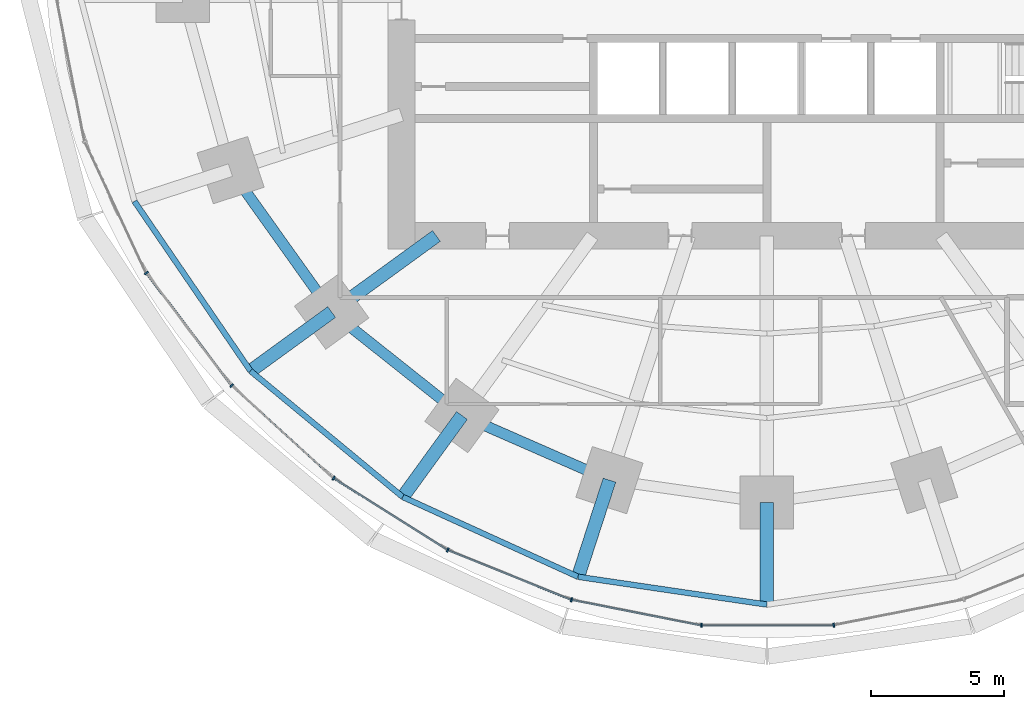
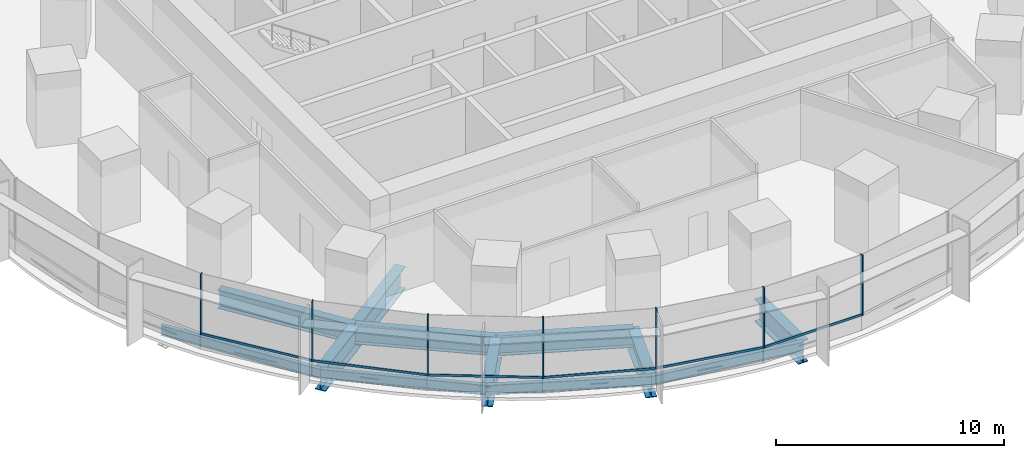
# One storey, part 2 of 15: 13 members, 12 beams, 2 elements without a shape of their own.
"""IFC4 building model written with IfcOpenShell, lengths in metres."""

from ifc_helpers import new_model, si_unit, direction, frame, origin, origin_2d, place, context, subcontext, project, spatial, rectangle, i_section, extrude, material, material_profile, profile_set, type_object, element, aggregate, save


model = new_model("IFC4")

# Units and contexts
model_context = context("Model", 3, precision=1e-05, world=origin(), true_north=direction((0.0, 1.0)))
body_context = subcontext(model_context, "Body", "Model", "MODEL_VIEW")
ifc_project = project(units=[si_unit("LENGTHUNIT", "METRE"), si_unit("AREAUNIT", "SQUARE_METRE"), si_unit("VOLUMEUNIT", "CUBIC_METRE"), si_unit("PLANEANGLEUNIT", "RADIAN"), si_unit("MASSUNIT", "GRAM", prefix="KILO")], contexts=[model_context])

# Site, building, storey
site_placement = place(None, origin())
site = spatial("IfcSite", under=ifc_project, at=site_placement, CompositionType="ELEMENT")
building_placement = place(site_placement, origin())
building = spatial("IfcBuilding", under=site, at=building_placement, Name="Marramba Exchange Tower", CompositionType="ELEMENT")
storey_placement = place(building_placement, frame((0.0, 0.0, 78.39990234375)))
storey = spatial("IfcBuildingStorey", under=building, at=storey_placement, Name="L18", CompositionType="ELEMENT", Elevation=78.39990234375)

# Beams
ifc_material_1 = material(Name="Steel AS/NZS 3679.2 grade 300", Category="steel")
ifc_material_profile_1 = material_profile(ifc_material_1, i_section(OverallWidth=0.5, OverallDepth=1.199951171875, WebThickness=0.01611328125, FlangeThickness=0.0400390625, at=origin_2d()), Name="1200WB455")
ifc_profile_set_1 = profile_set([ifc_material_profile_1], Name="Steel AS/NZS 3679.2 grade 300")
beam_type_1 = type_object("IfcBeamType", Name="Cantilever girder 1200WB455", PredefinedType="BEAM", material=ifc_profile_set_1)
beam_1_placement = place(storey_placement, frame((-16.3154296875, -11.853759765625, -0.760009765625), z_axis=(-0.809008346081, -0.587797155463, 0.0), x_axis=(0.587797155463, -0.809008346081, 0.0)))
element("IfcBeam", 1, at=beam_1_placement, inside=storey, type_object=beam_type_1, Name="Cantilever girder L18 TC13", PredefinedType="BEAM", context=body_context, shape_type="SweptSolid", body=[
    extrude(i_section(OverallWidth=0.5, OverallDepth=1.199951171875, WebThickness=0.01611328125, FlangeThickness=0.0400390625, at=origin_2d()), origin(), (0.0, 0.0, 1.0), 3.76025390625),
])
beam_2_placement = place(storey_placement, frame((-11.430419921875, -15.732666015625, -0.760009765625), z_axis=(-0.587787232741, -0.809015555491, 0.0), x_axis=(0.809015555491, -0.587787232741, 0.0)))
element("IfcBeam", 2, at=beam_2_placement, inside=storey, type_object=beam_type_1, Name="Cantilever girder L18 TC14", PredefinedType="BEAM", context=body_context, shape_type="SweptSolid", body=[
    extrude(i_section(OverallWidth=0.5, OverallDepth=1.199951171875, WebThickness=0.01611328125, FlangeThickness=0.0400390625, at=origin_2d()), origin(), (0.0, 0.0, 1.0), 3.7763671875),
])
beam_3_placement = place(storey_placement, frame((-5.899658203125, -18.156982421875, -0.760009765625), z_axis=(-0.309009272901, -0.951059025119, 0.0), x_axis=(0.951059025119, -0.309009272901, 0.0)))
element("IfcBeam", 3, at=beam_3_placement, inside=storey, type_object=beam_type_1, Name="Cantilever girder L18 TC15", PredefinedType="BEAM", context=body_context, shape_type="SweptSolid", body=[
    extrude(i_section(OverallWidth=0.5, OverallDepth=1.199951171875, WebThickness=0.01611328125, FlangeThickness=0.0400390625, at=origin_2d()), origin(), (0.0, 0.0, 1.0), 3.809814453125),
])
beam_4_placement = place(storey_placement, frame((0.0, -18.99609375, -0.760009765625), z_axis=(0.0, -1.0, 0.0), x_axis=(1.0, 0.0, 0.0)))
element("IfcBeam", 4, at=beam_4_placement, inside=storey, type_object=beam_type_1, Name="Cantilever girder L18 TC16", PredefinedType="BEAM", context=body_context, shape_type="SweptSolid", body=[
    extrude(i_section(OverallWidth=0.5, OverallDepth=1.199951171875, WebThickness=0.01611328125, FlangeThickness=0.0400390625, at=origin_2d()), origin(), (0.0, 0.0, 1.0), 3.825927734375),
])
ifc_material_profile_2 = material_profile(ifc_material_1, i_section(OverallWidth=0.5, OverallDepth=1.199951171875, WebThickness=0.01611328125, FlangeThickness=0.0400390625, at=origin_2d()), Name="1200WB455")
ifc_profile_set_2 = profile_set([ifc_material_profile_2], Name="Steel AS/NZS 3679.2 grade 300")
beam_type_2 = type_object("IfcBeamType", Name="Radial girder 1200WB455", PredefinedType="BEAM", material=ifc_profile_set_2)
beam_5_placement = place(storey_placement, frame((-12.387451171875, -9.0, -0.760009765625), z_axis=(-0.809025189606, -0.58777397236, 0.0), x_axis=(0.58777397236, -0.809025189606, 0.0)))
element("IfcBeam", 5, at=beam_5_placement, inside=storey, type_object=beam_type_2, Name="Radial girder L18 TC13", PredefinedType="BEAM", context=body_context, shape_type="SweptSolid", body=[
    extrude(i_section(OverallWidth=0.5, OverallDepth=1.199951171875, WebThickness=0.01611328125, FlangeThickness=0.0400390625, at=origin_2d()), origin(), (0.0, 0.0, 1.0), 4.855224609375),
])
ifc_material_profile_3 = material_profile(ifc_material_1, i_section(OverallWidth=0.39990234375, OverallDepth=1.0, WebThickness=0.01611328125, FlangeThickness=0.031982421875, at=origin_2d()), Name="1000WB322")
ifc_profile_set_3 = profile_set([ifc_material_profile_3], Name="Steel AS/NZS 3679.2 grade 300")
beam_type_3 = type_object("IfcBeamType", Name="Ring beam 1000WB322", PredefinedType="SPANDREL", material=ifc_profile_set_3)
beam_6_placement = place(storey_placement, frame((-20.109375, -6.533935546875, -0.659912109375), z_axis=(0.580637181111, -0.814162430914, 0.0), x_axis=(0.814162430914, 0.580637181111, 0.0)))
element("IfcBeam", 6, at=beam_6_placement, inside=storey, type_object=beam_type_3, Name="Ring beam L18 TC12-TC13", PredefinedType="SPANDREL", context=body_context, shape_type="SweptSolid", body=[
    extrude(i_section(OverallWidth=0.39990234375, OverallDepth=1.0, WebThickness=0.01611328125, FlangeThickness=0.031982421875, at=origin_2d()), origin(), (0.0, 0.0, 1.0), 6.5341796875),
])
beam_7_placement = place(storey_placement, frame((-16.3154296875, -11.853759765625, -0.659912109375), z_axis=(0.783139438128, -0.621846138887, 0.0), x_axis=(0.621846138887, 0.783139438128, 0.0)))
element("IfcBeam", 7, at=beam_7_placement, inside=storey, type_object=beam_type_3, Name="Ring beam L18 TC13-TC14", PredefinedType="SPANDREL", context=body_context, shape_type="SweptSolid", body=[
    extrude(i_section(OverallWidth=0.39990234375, OverallDepth=1.0, WebThickness=0.01611328125, FlangeThickness=0.031982421875, at=origin_2d()), origin(), (0.0, 0.0, 1.0), 6.23779296875),
])
beam_8_placement = place(storey_placement, frame((-11.430419921875, -15.732666015625, -0.659912109375), z_axis=(0.915876892158, -0.4014592363, 0.0), x_axis=(0.4014592363, 0.915876892158, 0.0)))
element("IfcBeam", 8, at=beam_8_placement, inside=storey, type_object=beam_type_3, Name="Ring beam L18 TC14-TC15", PredefinedType="SPANDREL", context=body_context, shape_type="SweptSolid", body=[
    extrude(i_section(OverallWidth=0.39990234375, OverallDepth=1.0, WebThickness=0.01611328125, FlangeThickness=0.031982421875, at=origin_2d()), origin(), (0.0, 0.0, 1.0), 6.038818359375),
])
ifc_material_2 = material(Name="Steel AS/NZS 3679.1 grade 300", Category="steel")
ifc_material_profile_4 = material_profile(ifc_material_2, i_section(OverallWidth=0.208984375, OverallDepth=0.528076171875, WebThickness=0.009521484375, FlangeThickness=0.01318359375, FilletRadius=0.013916015625, at=origin_2d()), Name="530UB82.0")
ifc_profile_set_4 = profile_set([ifc_material_profile_4], Name="Steel AS/NZS 3679.1 grade 300")
beam_type_4 = type_object("IfcBeamType", Name="Slab edge beam 530UB82.0", PredefinedType="SPANDREL", material=ifc_profile_set_4)
beam_9_placement = place(storey_placement, frame((-23.709716796875, -7.703857421875, -0.423828125), z_axis=(0.564740697285, -0.82526840775, 0.0), x_axis=(0.82526840775, 0.564740697285, 0.0)))
element("IfcBeam", 9, at=beam_9_placement, inside=storey, type_object=beam_type_4, Name="Slab edge beam L18 TC12-TC13", PredefinedType="SPANDREL", context=body_context, shape_type="SweptSolid", body=[
    extrude(i_section(OverallWidth=0.208984375, OverallDepth=0.528076171875, WebThickness=0.009521484375, FlangeThickness=0.01318359375, FilletRadius=0.013916015625, at=origin_2d()), origin(), (0.0, 0.0, 1.0), 7.706787109375),
])
beam_10_placement = place(storey_placement, frame((-19.357421875, -14.06396484375, -0.423828125), z_axis=(0.770353575372, -0.637616945283, 0.0), x_axis=(0.637616945283, 0.770353575372, 0.0)))
element("IfcBeam", 10, at=beam_10_placement, inside=storey, type_object=beam_type_4, Name="Slab edge beam L18 TC13-TC14", PredefinedType="SPANDREL", context=body_context, shape_type="SweptSolid", body=[
    extrude(i_section(OverallWidth=0.208984375, OverallDepth=0.528076171875, WebThickness=0.009521484375, FlangeThickness=0.01318359375, FilletRadius=0.013916015625, at=origin_2d()), origin(), (0.0, 0.0, 1.0), 7.40869140625),
])
beam_11_placement = place(storey_placement, frame((-13.650146484375, -18.787841796875, -0.423828125), z_axis=(0.910126690081, -0.414330071324, 0.0), x_axis=(0.414330071324, 0.910126690081, 0.0)))
element("IfcBeam", 11, at=beam_11_placement, inside=storey, type_object=beam_type_4, Name="Slab edge beam L18 TC14-TC15", PredefinedType="SPANDREL", context=body_context, shape_type="SweptSolid", body=[
    extrude(i_section(OverallWidth=0.208984375, OverallDepth=0.528076171875, WebThickness=0.009521484375, FlangeThickness=0.01318359375, FilletRadius=0.013916015625, at=origin_2d()), origin(), (0.0, 0.0, 1.0), 7.222412109375),
])
beam_12_placement = place(storey_placement, frame((-7.076904296875, -21.7802734375, -0.423828125), z_axis=(0.989338462178, -0.145634498848, 0.0), x_axis=(0.145634498848, 0.989338462178, 0.0)))
element("IfcBeam", 12, at=beam_12_placement, inside=storey, type_object=beam_type_4, Name="Slab edge beam L18 TC15-TC16", PredefinedType="SPANDREL", context=body_context, shape_type="SweptSolid", body=[
    extrude(i_section(OverallWidth=0.208984375, OverallDepth=0.528076171875, WebThickness=0.009521484375, FlangeThickness=0.01318359375, FilletRadius=0.013916015625, at=origin_2d()), origin(), (0.0, 0.0, 1.0), 7.153076171875),
])

# Curtain wall, members
ifc_material_3 = material(Name="Aluminium framing, bronze anodised", Category="aluminium")
curtain_wall_type = type_object("IfcCurtainWallType", Name="Trading floor ribbon curtain wall", PredefinedType="USERDEFINED", material=ifc_material_3)
curtain_wall_1_placement = place(storey_placement, origin())
curtain_wall_1 = element("IfcCurtainWall", 13, at=curtain_wall_1_placement, inside=storey, type_object=curtain_wall_type, Name="Curtain wall CW3 L18 F16-F20", ObjectType="RIBBON CURTAIN WALL", PredefinedType="USERDEFINED")
ifc_material_4 = material(Name="Aluminium mullion, bronze anodised", Category="aluminium")
ifc_material_profile_5 = material_profile(ifc_material_4, rectangle(XDim=0.159912109375, YDim=0.06005859375, at=origin_2d()), Name="CW3 mullion 60x160")
ifc_profile_set_5 = profile_set([ifc_material_profile_5], Name="Aluminium mullion, bronze anodised")
member_type_1 = type_object("IfcMemberType", Name="Trading floor ribbon curtain wall mullion", PredefinedType="MULLION", material=ifc_profile_set_5)
member_1_placement = place(storey_placement, frame((-23.26318359375, -10.389404296875, 0.800048828125), z_axis=(0.0, 0.0, 1.0), x_axis=(0.797710591138, 0.603040473588, 0.0)))
member_1 = element("IfcMember", 14, at=member_1_placement, type_object=member_type_1, Name="CW3 mullion 1", PredefinedType="MULLION", context=body_context, shape_type="SweptSolid", body=[
    extrude(rectangle(XDim=0.159912109375, YDim=0.06005859375, at=origin_2d()), origin(), (0.0, 0.0, 1.0), 3.239990234375),
])
member_2_placement = place(storey_placement, frame((-20.063232421875, -14.61328125, 0.800048828125), z_axis=(0.0, 0.0, 1.0), x_axis=(0.673058133441, 0.739589581463, 0.0)))
member_2 = element("IfcMember", 15, at=member_2_placement, type_object=member_type_1, Name="CW3 mullion 1", PredefinedType="MULLION", context=body_context, shape_type="SweptSolid", body=[
    extrude(rectangle(XDim=0.159912109375, YDim=0.06005859375, at=origin_2d()), origin(), (0.0, 0.0, 1.0), 3.239990234375),
])
member_3_placement = place(storey_placement, frame((-16.242431640625, -18.083251953125, 0.800048828125), z_axis=(0.0, 0.0, 1.0), x_axis=(0.533514646612, 0.845790826298, 0.0)))
member_3 = element("IfcMember", 16, at=member_3_placement, type_object=member_type_1, Name="CW3 mullion 1", PredefinedType="MULLION", context=body_context, shape_type="SweptSolid", body=[
    extrude(rectangle(XDim=0.159912109375, YDim=0.06005859375, at=origin_2d()), origin(), (0.0, 0.0, 1.0), 3.239990234375),
])

curtain_wall_2_placement = place(storey_placement, origin())
curtain_wall_2 = element("IfcCurtainWall", 17, at=curtain_wall_2_placement, inside=storey, type_object=curtain_wall_type, Name="Curtain wall CW3 L18 F21-F25", ObjectType="RIBBON CURTAIN WALL", PredefinedType="USERDEFINED")
member_4_placement = place(storey_placement, frame((-11.96142578125, -20.77734375, 0.800048828125), z_axis=(0.0, 0.0, 1.0), x_axis=(0.374218219325, 0.927340673283, 0.0)))
member_4 = element("IfcMember", 18, at=member_4_placement, type_object=member_type_1, Name="CW3 mullion 1", PredefinedType="MULLION", context=body_context, shape_type="SweptSolid", body=[
    extrude(rectangle(XDim=0.159912109375, YDim=0.06005859375, at=origin_2d()), origin(), (0.0, 0.0, 1.0), 3.239990234375),
])
member_5_placement = place(storey_placement, frame((-7.325439453125, -22.64208984375, 0.800048828125), z_axis=(0.0, 0.0, 1.0), x_axis=(0.193961202977, 0.98100920064, 0.0)))
member_5 = element("IfcMember", 19, at=member_5_placement, type_object=member_type_1, Name="CW3 mullion 1", PredefinedType="MULLION", context=body_context, shape_type="SweptSolid", body=[
    extrude(rectangle(XDim=0.159912109375, YDim=0.06005859375, at=origin_2d()), origin(), (0.0, 0.0, 1.0), 3.239990234375),
])
member_6_placement = place(storey_placement, frame((-2.450439453125, -23.599853515625, 0.800048828125), z_axis=(0.0, 0.0, 1.0), x_axis=(0.0, 1.0, 0.0)))
member_6 = element("IfcMember", 20, at=member_6_placement, type_object=member_type_1, Name="CW3 mullion 1", PredefinedType="MULLION", context=body_context, shape_type="SweptSolid", body=[
    extrude(rectangle(XDim=0.159912109375, YDim=0.06005859375, at=origin_2d()), origin(), (0.0, 0.0, 1.0), 3.239990234375),
])
member_7_placement = place(storey_placement, frame((2.509765625, -23.59423828125, 0.800048828125), z_axis=(0.0, 0.0, 1.0), x_axis=(-0.193961202977, 0.98100920064, 0.0)))
member_7 = element("IfcMember", 21, at=member_7_placement, type_object=member_type_1, Name="CW3 mullion 1", PredefinedType="MULLION", context=body_context, shape_type="SweptSolid", body=[
    extrude(rectangle(XDim=0.159912109375, YDim=0.06005859375, at=origin_2d()), origin(), (0.0, 0.0, 1.0), 3.239990234375),
])

# Member
ifc_material_5 = material(Name="Aluminium transom, bronze anodised", Category="aluminium")
ifc_material_profile_6 = material_profile(ifc_material_5, rectangle(XDim=0.06005859375, YDim=0.1201171875, at=origin_2d()), Name="CW3 transom 60x120")
ifc_profile_set_6 = profile_set([ifc_material_profile_6], Name="Aluminium transom, bronze anodised")
member_type_2 = type_object("IfcMemberType", Name="Trading floor ribbon curtain wall transom", PredefinedType="USERDEFINED", material=ifc_profile_set_6)
member_8_placement = place(storey_placement, frame((-23.2451171875, -10.413330078125, 0.830078125), z_axis=(0.603037409419, -0.797712907531, 0.0), x_axis=(0.797712907531, 0.603037409419, 0.0)))
member_8 = element("IfcMember", 22, at=member_8_placement, type_object=member_type_2, Name="CW3 sill transom", ObjectType="TRANSOM", PredefinedType="USERDEFINED", context=body_context, shape_type="SweptSolid", body=[
    extrude(rectangle(XDim=0.06005859375, YDim=0.1201171875, at=origin_2d()), origin(), (0.0, 0.0, 1.0), 5.239501953125),
])

member_9_placement = place(storey_placement, frame((-20.041015625, -14.63330078125, 0.830078125), z_axis=(0.739582688456, -0.673065707741, 0.0), x_axis=(0.673065707741, 0.739582688456, 0.0)))
member_9 = element("IfcMember", 23, at=member_9_placement, type_object=member_type_2, Name="CW3 sill transom", ObjectType="TRANSOM", PredefinedType="USERDEFINED", context=body_context, shape_type="SweptSolid", body=[
    extrude(rectangle(XDim=0.06005859375, YDim=0.1201171875, at=origin_2d()), origin(), (0.0, 0.0, 1.0), 5.101806640625),
])

member_10_placement = place(storey_placement, frame((-16.217041015625, -18.09912109375, 0.830078125), z_axis=(0.845776602594, -0.533537195053, 0.0), x_axis=(0.533537195053, 0.845776602594, 0.0)))
member_10 = element("IfcMember", 24, at=member_10_placement, type_object=member_type_2, Name="CW3 sill transom", ObjectType="TRANSOM", PredefinedType="USERDEFINED", context=body_context, shape_type="SweptSolid", body=[
    extrude(rectangle(XDim=0.06005859375, YDim=0.1201171875, at=origin_2d()), origin(), (0.0, 0.0, 1.0), 4.998779296875),
])

aggregate(curtain_wall_1, [member_1, member_8, member_2, member_9, member_3, member_10])

member_11_placement = place(storey_placement, frame((-11.93359375, -20.78857421875, 0.830078125), z_axis=(0.927340197166, -0.374219399176, 0.0), x_axis=(0.374219399176, 0.927340197166, 0.0)))
member_11 = element("IfcMember", 25, at=member_11_placement, type_object=member_type_2, Name="CW3 sill transom", ObjectType="TRANSOM", PredefinedType="USERDEFINED", context=body_context, shape_type="SweptSolid", body=[
    extrude(rectangle(XDim=0.06005859375, YDim=0.1201171875, at=origin_2d()), origin(), (0.0, 0.0, 1.0), 4.937255859375),
])

member_12_placement = place(storey_placement, frame((-7.296142578125, -22.64794921875, 0.830078125), z_axis=(0.981018169547, -0.193915834883, 0.0), x_axis=(0.193915834883, 0.981018169547, 0.0)))
member_12 = element("IfcMember", 26, at=member_12_placement, type_object=member_type_2, Name="CW3 sill transom", ObjectType="TRANSOM", PredefinedType="USERDEFINED", context=body_context, shape_type="SweptSolid", body=[
    extrude(rectangle(XDim=0.06005859375, YDim=0.1201171875, at=origin_2d()), origin(), (0.0, 0.0, 1.0), 4.908935546875),
])

member_13_placement = place(storey_placement, frame((-2.42041015625, -23.599853515625, 0.830078125), z_axis=(1.0, 0.0, 0.0), x_axis=(0.0, 1.0, 0.0)))
member_13 = element("IfcMember", 27, at=member_13_placement, type_object=member_type_2, Name="CW3 sill transom", ObjectType="TRANSOM", PredefinedType="USERDEFINED", context=body_context, shape_type="SweptSolid", body=[
    extrude(rectangle(XDim=0.06005859375, YDim=0.1201171875, at=origin_2d()), origin(), (0.0, 0.0, 1.0), 4.90087890625),
])

aggregate(curtain_wall_2, [member_4, member_11, member_5, member_12, member_6, member_13, member_7])

save(model, "model.ifc")
